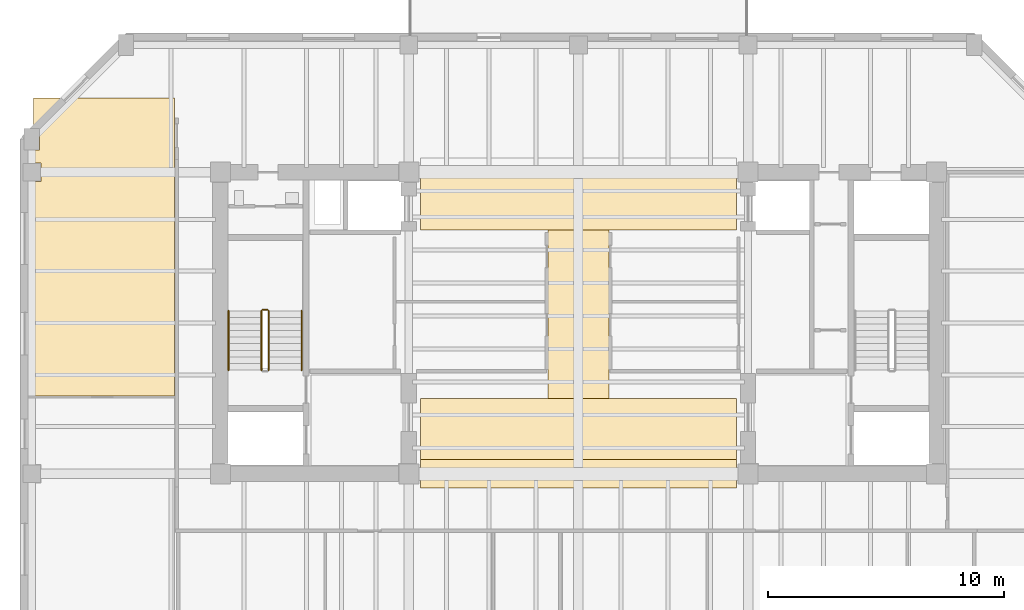
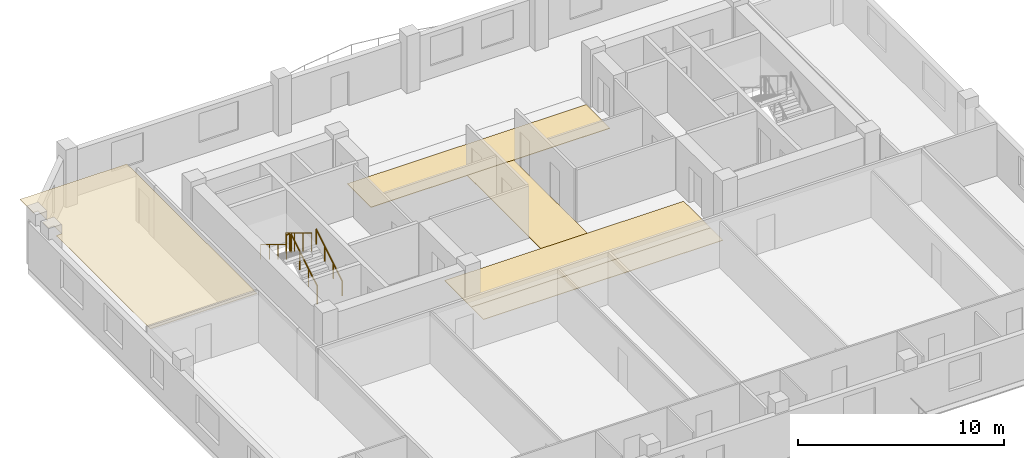
# One storey, part 8 of 11: 5 coverings, 5 railings.
"""IFC4 building model written with IfcOpenShell, lengths in metres."""

from ifc_helpers import new_model, si_unit, direction, frame, origin, origin_2d, place, context, subcontext, project, spatial, polyline, circle, outline, extrude, material, layer, layer_set, type_object, element, save


model = new_model("IFC4")

# Units and contexts
model_context = context("Model", 3, precision=1e-05, world=origin(), true_north=direction((0.0, 1.0)))
body_context = subcontext(model_context, "Body", "Model", "MODEL_VIEW")
ifc_project = project(units=[si_unit("LENGTHUNIT", "METRE"), si_unit("AREAUNIT", "SQUARE_METRE"), si_unit("VOLUMEUNIT", "CUBIC_METRE"), si_unit("PLANEANGLEUNIT", "RADIAN"), si_unit("MASSUNIT", "GRAM", prefix="KILO")], contexts=[model_context])

# Site, building, storey
site_placement = place(None, origin())
site = spatial("IfcSite", under=ifc_project, at=site_placement, CompositionType="ELEMENT")
building_placement = place(site_placement, origin())
building = spatial("IfcBuilding", under=site, at=building_placement, Name="Kranthara Brick Stack", CompositionType="ELEMENT")
storey_placement = place(building_placement, frame((0.0, 0.0, 210.89990234375)))
storey = spatial("IfcBuildingStorey", under=building, at=storey_placement, Name="L54", CompositionType="ELEMENT", Elevation=210.89990234375)

# Coverings
ifc_material_1 = material(Name="Perforated mineral-fibre acoustic ceiling tile", Category="other")
ifc_layer_1 = layer(ifc_material_1, 0.02490234375)
ifc_layer_set_1 = layer_set([ifc_layer_1], Name="Perforated mineral-fibre acoustic ceiling tile")
covering_type_1 = type_object("IfcCoveringType", Name="COV-CEIL-ACOUSTIC", PredefinedType="CEILING", material=ifc_layer_set_1)
covering_1_placement = place(storey_placement, frame((0.0, 0.0, 2.830078125)))
element("IfcCovering", 1, at=covering_1_placement, inside=storey, type_object=covering_type_1, Name="L54 Unit L54C 1-Bed Apartment Living Dining Acoustic Ceiling", PredefinedType="CEILING", context=body_context, shape_type="SweptSolid", body=[
    extrude(outline(polyline([(10.860107421875, 36.75), (10.860107421875, 24.112060546875), (4.8701171875, 24.112060546875), (4.8701171875, 33.215087890625), (5.18505859375, 33.215087890625), (5.18505859375, 33.985107421875), (4.8701171875, 33.985107421875), (4.8701171875, 34.5400390625), (5.135009765625, 34.5400390625), (5.135009765625, 35.4599609375), (4.8701171875, 35.4599609375), (4.8701171875, 36.75), (10.860107421875, 36.75)])), origin(), (0.0, 0.0, 1.0), 0.02490234375),
])
ifc_material_2 = material(Name="Honed terrazzo and porcelain floor finish", Category="stone")
ifc_layer_2 = layer(ifc_material_2, 0.030029296875)
ifc_layer_set_2 = layer_set([ifc_layer_2], Name="Honed terrazzo and porcelain floor finish")
covering_type_2 = type_object("IfcCoveringType", Name="COV-FLOR-STONE", PredefinedType="FLOORING", material=ifc_layer_set_2)
covering_2_placement = place(storey_placement, origin())
element("IfcCovering", 2, at=covering_2_placement, inside=storey, type_object=covering_type_2, Name="L54 Lift Lobby Stone Flooring", PredefinedType="FLOORING", context=body_context, shape_type="SweptSolid", body=[
    extrude(outline(polyline([(34.699951171875, 21.39990234375), (34.699951171875, 24.0), (21.300048828125, 24.0), (21.300048828125, 21.39990234375), (34.699951171875, 21.39990234375)])), origin(), (0.0, 0.0, 1.0), 0.030029296875),
])
covering_3_placement = place(storey_placement, origin())
element("IfcCovering", 3, at=covering_3_placement, inside=storey, type_object=covering_type_2, Name="L54 Lift Lobby Stone Flooring", PredefinedType="FLOORING", context=body_context, shape_type="SweptSolid", body=[
    extrude(outline(polyline([(34.699951171875, 31.14990234375), (34.699951171875, 33.449951171875), (21.300048828125, 33.449951171875), (21.300048828125, 31.14990234375), (34.699951171875, 31.14990234375)])), origin(), (0.0, 0.0, 1.0), 0.030029296875),
])
covering_4_placement = place(storey_placement, origin())
element("IfcCovering", 4, at=covering_4_placement, inside=storey, type_object=covering_type_2, Name="L54 Lift Lobby Stone Flooring", PredefinedType="FLOORING", context=body_context, shape_type="SweptSolid", body=[
    extrude(outline(polyline([(29.300048828125, 24.0), (26.699951171875, 24.0), (26.699951171875, 31.14990234375), (29.300048828125, 31.14990234375), (29.300048828125, 24.0)])), origin(), (0.0, 0.0, 1.0), 0.030029296875),
])
covering_5_placement = place(storey_placement, origin())
element("IfcCovering", 5, at=covering_5_placement, inside=storey, type_object=covering_type_2, Name="L54 Lift Lobby Stone Flooring", PredefinedType="FLOORING", context=body_context, shape_type="SweptSolid", body=[
    extrude(outline(polyline([(34.699951171875, 20.199951171875), (21.300048828125, 20.199951171875), (21.300048828125, 21.39990234375), (34.699951171875, 21.39990234375), (34.699951171875, 20.199951171875)])), origin(), (0.0, 0.0, 1.0), 0.030029296875),
])

# Railings
ifc_material_3 = material(Name="Painted galvanized steel stair guardrail", Category="steel")
railing_type_1 = type_object("IfcRailingType", Name="RL-STAIR-GUARD-1100", PredefinedType="GUARDRAIL", material=ifc_material_3)
railing_1_placement = place(storey_placement, frame((14.85009765625, 25.199951171875, 0.170166015625)))
element("IfcRailing", 6, at=railing_1_placement, inside=storey, type_object=railing_type_1, Name="L54 ST01 stair guard 1", PredefinedType="GUARDRAIL", context=body_context, shape_type="SweptSolid", body=[
    extrude(circle(Radius=0.02392578125, at=origin_2d()), frame((0.0, 0.0, 1.076171875), z_axis=(0.0, 0.85478489116, 0.518982456201), x_axis=(-1.0, 0.0, 0.0)), (0.0, 0.0, 1.0), 2.9482421875),
    extrude(circle(Radius=0.02099609375, at=origin_2d()), origin(), (0.0, 0.0, 1.0), 1.052001953125),
    extrude(circle(Radius=0.02099609375, at=origin_2d()), frame((0.0, 0.840087890625, 0.510009765625)), (0.0, 0.0, 1.0), 1.052001953125),
    extrude(circle(Radius=0.02099609375, at=origin_2d()), frame((0.0, 1.679931640625, 1.02001953125)), (0.0, 0.0, 1.0), 1.052001953125),
    extrude(circle(Radius=0.02099609375, at=origin_2d()), frame((0.0, 2.52001953125, 1.530029296875)), (0.0, 0.0, 1.0), 1.052001953125),
])
railing_2_placement = place(storey_placement, frame((14.800048828125, 27.77001953125, 1.7001953125)))
element("IfcRailing", 7, at=railing_2_placement, inside=storey, type_object=railing_type_1, Name="L54 ST01 stair guard 2", PredefinedType="GUARDRAIL", context=body_context, shape_type="SweptSolid", body=[
    extrude(circle(Radius=0.02392578125, at=origin_2d()), frame((0.0, 0.0, 1.076171875), z_axis=(-1.0, 0.0, 0.0), x_axis=(0.0, -1.0, 0.0)), (0.0, 0.0, 1.0), 0.199951171875),
    extrude(circle(Radius=0.02099609375, at=origin_2d()), origin(), (0.0, 0.0, 1.0), 1.052001953125),
    extrude(circle(Radius=0.02099609375, at=origin_2d()), frame((-0.199951171875, 0.0, 0.0)), (0.0, 0.0, 1.0), 1.052001953125),
])
railing_3_placement = place(storey_placement, frame((14.550048828125, 27.719970703125, 1.8701171875)))
element("IfcRailing", 8, at=railing_3_placement, inside=storey, type_object=railing_type_1, Name="L54 ST01 stair guard 3", PredefinedType="GUARDRAIL", context=body_context, shape_type="SweptSolid", body=[
    extrude(circle(Radius=0.02392578125, at=origin_2d()), frame((0.0, 0.0, 1.076171875), z_axis=(0.0, -0.85478489116, 0.518982456201), x_axis=(1.0, 0.0, 0.0)), (0.0, 0.0, 1.0), 2.9482421875),
    extrude(circle(Radius=0.02099609375, at=origin_2d()), origin(), (0.0, 0.0, 1.0), 1.052001953125),
    extrude(circle(Radius=0.02099609375, at=origin_2d()), frame((0.0, -0.840087890625, 0.510009765625)), (0.0, 0.0, 1.0), 1.052001953125),
    extrude(circle(Radius=0.02099609375, at=origin_2d()), frame((0.0, -1.679931640625, 1.02001953125)), (0.0, 0.0, 1.0), 1.052001953125),
    extrude(circle(Radius=0.02099609375, at=origin_2d()), frame((0.0, -2.52001953125, 1.530029296875)), (0.0, 0.0, 1.0), 1.052001953125),
])
ifc_material_4 = material(Name="Brushed stainless steel tubular handrail", Category="steel")
railing_type_2 = type_object("IfcRailingType", Name="RL-STAIR-HAND-900", PredefinedType="HANDRAIL", material=ifc_material_4)
railing_4_placement = place(storey_placement, frame((16.25, 25.199951171875, 0.170166015625)))
element("IfcRailing", 9, at=railing_4_placement, inside=storey, type_object=railing_type_2, Name="L54 ST01 stair handrail 1", PredefinedType="HANDRAIL", context=body_context, shape_type="SweptSolid", body=[
    extrude(circle(Radius=0.02392578125, at=origin_2d()), frame((0.0, 0.0, 0.8759765625), z_axis=(0.0, 0.85478489116, 0.518982456201), x_axis=(-1.0, 0.0, 0.0)), (0.0, 0.0, 1.0), 2.9482421875),
    extrude(circle(Radius=0.02099609375, at=origin_2d()), origin(), (0.0, 0.0, 1.0), 0.851806640625),
    extrude(circle(Radius=0.02099609375, at=origin_2d()), frame((0.0, 0.840087890625, 0.510009765625)), (0.0, 0.0, 1.0), 0.851806640625),
    extrude(circle(Radius=0.02099609375, at=origin_2d()), frame((0.0, 1.679931640625, 1.02001953125)), (0.0, 0.0, 1.0), 0.851806640625),
    extrude(circle(Radius=0.02099609375, at=origin_2d()), frame((0.0, 2.52001953125, 1.530029296875)), (0.0, 0.0, 1.0), 0.851806640625),
])
railing_5_placement = place(storey_placement, frame((13.14990234375, 27.719970703125, 1.8701171875)))
element("IfcRailing", 10, at=railing_5_placement, inside=storey, type_object=railing_type_2, Name="L54 ST01 stair handrail 2", PredefinedType="HANDRAIL", context=body_context, shape_type="SweptSolid", body=[
    extrude(circle(Radius=0.02392578125, at=origin_2d()), frame((0.0, 0.0, 0.8759765625), z_axis=(0.0, -0.85478489116, 0.518982456201), x_axis=(1.0, 0.0, 0.0)), (0.0, 0.0, 1.0), 2.9482421875),
    extrude(circle(Radius=0.02099609375, at=origin_2d()), origin(), (0.0, 0.0, 1.0), 0.851806640625),
    extrude(circle(Radius=0.02099609375, at=origin_2d()), frame((0.0, -0.840087890625, 0.510009765625)), (0.0, 0.0, 1.0), 0.851806640625),
    extrude(circle(Radius=0.02099609375, at=origin_2d()), frame((0.0, -1.679931640625, 1.02001953125)), (0.0, 0.0, 1.0), 0.851806640625),
    extrude(circle(Radius=0.02099609375, at=origin_2d()), frame((0.0, -2.52001953125, 1.530029296875)), (0.0, 0.0, 1.0), 0.851806640625),
])

save(model, "model.ifc")
